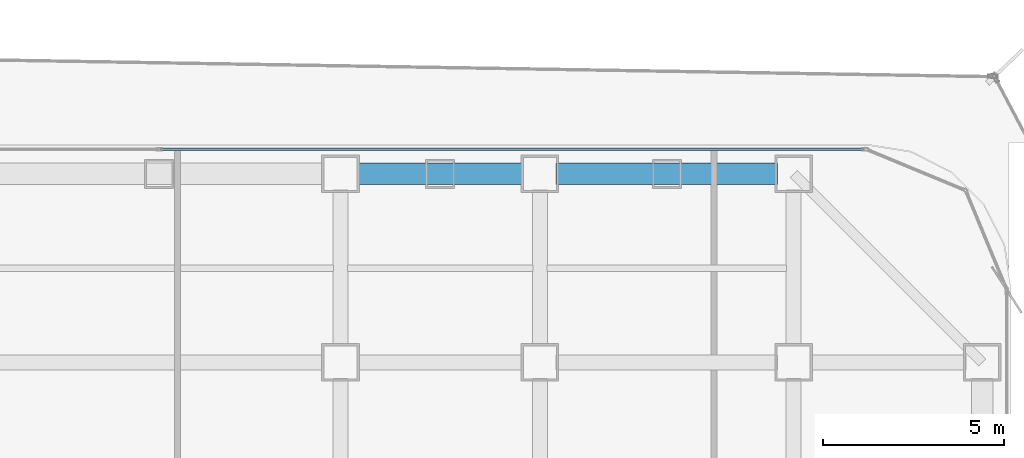
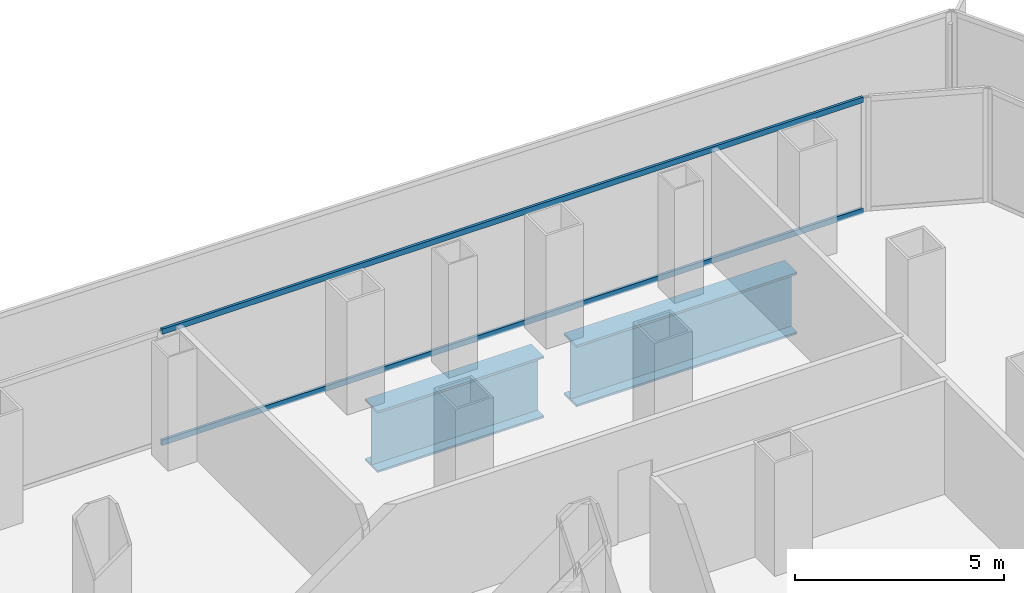
# One storey, part 19 of 27: 2 beams, 2 members, 1 element without a shape of its own.
"""IFC4 building model written with IfcOpenShell, lengths in metres."""

from ifc_helpers import new_model, si_unit, direction, frame, origin, origin_2d, place, context, subcontext, project, spatial, hollow_rectangle, i_section, extrude, source, transform, mapped, material, layer, layer_set, material_profile, profile_set, type_object, element, aggregate, save


model = new_model("IFC4")

# Units and contexts
model_context = context("Model", 3, precision=1e-05, world=origin(), true_north=direction((0.0, 1.0)))
body_context = subcontext(model_context, "Body", "Model", "MODEL_VIEW")
ifc_project = project(units=[si_unit("LENGTHUNIT", "METRE"), si_unit("AREAUNIT", "SQUARE_METRE"), si_unit("VOLUMEUNIT", "CUBIC_METRE"), si_unit("PLANEANGLEUNIT", "RADIAN"), si_unit("MASSUNIT", "GRAM", prefix="KILO")], contexts=[model_context])

# Site, building, storey
site_placement = place(None, origin())
site = spatial("IfcSite", under=ifc_project, at=site_placement, CompositionType="ELEMENT")
building_placement = place(site_placement, origin())
building = spatial("IfcBuilding", under=site, at=building_placement, Name="Kolveth Station Tower", CompositionType="ELEMENT")
storey_placement = place(building_placement, frame((0.0, 0.0, 22.5)))
storey = spatial("IfcBuildingStorey", under=building, at=storey_placement, Name="L05", CompositionType="ELEMENT", Elevation=22.5)

# Beams
ifc_material_1 = material(Name="Steel S460", Category="steel")
ifc_material_profile_1 = material_profile(ifc_material_1, i_section(OverallWidth=0.60009765625, OverallDepth=1.800048828125, WebThickness=0.031982421875, FlangeThickness=0.06005859375, at=origin_2d()), Name="PG1800x600x60")
ifc_profile_set_1 = profile_set([ifc_material_profile_1], Name="Steel S460")
beam_type = type_object("IfcBeamType", Name="Beam_TG2", PredefinedType="BEAM", material=ifc_profile_set_1)
shared_shape_1 = source(origin(), body_context, "Body", "SweptSolid", [
    extrude(i_section(OverallWidth=0.60009765625, OverallDepth=1.800048828125, WebThickness=0.031982421875, FlangeThickness=0.06005859375, at=origin_2d()), origin(), (0.0, 0.0, 1.0), 6.10009765625),
])
beam_1_placement = place(storey_placement, frame((34.449951171875, 39.699951171875, -1.260009765625), z_axis=(1.0, 0.0, 0.0), x_axis=(0.0, 1.0, 0.0)))
element("IfcBeam", 1, at=beam_1_placement, inside=storey, type_object=beam_type, Name="L05 Transfer Girder BM-L05-PN-5", PredefinedType="BEAM", context=body_context, shape_type="MappedRepresentation", body=[
    mapped(shared_shape_1, transform((0.0, 0.0, 0.0), x_axis=(1.0, 0.0, 0.0), y_axis=(0.0, 1.0, 0.0), z_axis=(0.0, 0.0, 1.0), scale=1.0)),
])
shared_shape_2 = source(origin(), body_context, "Body", "SweptSolid", [
    extrude(i_section(OverallWidth=0.60009765625, OverallDepth=1.800048828125, WebThickness=0.031982421875, FlangeThickness=0.06005859375, at=origin_2d()), origin(), (0.0, 0.0, 1.0), 4.60009765625),
])
beam_2_placement = place(storey_placement, frame((28.949951171875, 39.699951171875, -1.260009765625), z_axis=(1.0, 0.0, 0.0), x_axis=(0.0, 1.0, 0.0)))
element("IfcBeam", 2, at=beam_2_placement, inside=storey, type_object=beam_type, Name="L05 Transfer Girder BM-L05-PN-4", PredefinedType="BEAM", context=body_context, shape_type="MappedRepresentation", body=[
    mapped(shared_shape_2, transform((0.0, 0.0, 0.0), x_axis=(1.0, 0.0, 0.0), y_axis=(0.0, 1.0, 0.0), z_axis=(0.0, 0.0, 1.0), scale=1.0)),
])

# Curtain wall, members
ifc_material_2 = material(Name="Aluminium 6063-T6 and low-E dark glass", Category="aluminium")
ifc_layer = layer(ifc_material_2, 0.179931640625)
ifc_layer_set = layer_set([ifc_layer], Name="Aluminium 6063-T6 and low-E dark glass")
curtain_wall_type = type_object("IfcCurtainWallType", Name="CurtainWall_CW-Z1", PredefinedType="NOTDEFINED", material=ifc_layer_set)
curtain_wall_placement = place(storey_placement, origin())
curtain_wall = element("IfcCurtainWall", 3, at=curtain_wall_placement, inside=storey, type_object=curtain_wall_type, Name="L05 Inner Thermal Curtain Wall 6", PredefinedType="NOTDEFINED")
ifc_material_3 = material(Name="Black anodized aluminium 6063-T6", Category="aluminium")
ifc_material_profile_2 = material_profile(ifc_material_3, hollow_rectangle(XDim=0.074951171875, YDim=0.159912109375, WallThickness=0.0048828125, at=origin_2d()), Name="ALU-75x160x5")
ifc_profile_set_2 = profile_set([ifc_material_profile_2], Name="Black anodized aluminium 6063-T6")
member_type = type_object("IfcMemberType", Name="Transom_TR1", PredefinedType="USERDEFINED", material=ifc_profile_set_2)
shared_shape_3 = source(origin(), body_context, "Body", "SweptSolid", [
    extrude(hollow_rectangle(XDim=0.074951171875, YDim=0.159912109375, WallThickness=0.0048828125, at=origin_2d()), origin(), (0.0, 0.0, 1.0), 19.387451171875),
])
member_1_placement = place(storey_placement, frame((42.925048828125, 40.3798828125, 0.03759765625), z_axis=(-1.0, 0.0, 0.0), x_axis=(0.0, -1.0, 0.0)))
member_1 = element("IfcMember", 4, at=member_1_placement, type_object=member_type, Name="CW-Z1 transom 1.1", ObjectType="TRANSOM", PredefinedType="USERDEFINED", context=body_context, shape_type="MappedRepresentation", body=[
    mapped(shared_shape_3, transform((0.0, 0.0, 0.0), x_axis=(1.0, 0.0, 0.0), y_axis=(0.0, 1.0, 0.0), z_axis=(0.0, 0.0, 1.0), scale=1.0)),
])
member_2_placement = place(storey_placement, frame((42.925048828125, 40.3798828125, 3.282470703125), z_axis=(-1.0, 0.0, 0.0), x_axis=(0.0, -1.0, 0.0)))
member_2 = element("IfcMember", 5, at=member_2_placement, type_object=member_type, Name="CW-Z1 transom 1.2", ObjectType="TRANSOM", PredefinedType="USERDEFINED", context=body_context, shape_type="MappedRepresentation", body=[
    mapped(shared_shape_3, transform((0.0, 0.0, 0.0), x_axis=(1.0, 0.0, 0.0), y_axis=(0.0, 1.0, 0.0), z_axis=(0.0, 0.0, 1.0), scale=1.0)),
])
aggregate(curtain_wall, [member_1, member_2])

save(model, "model.ifc")
